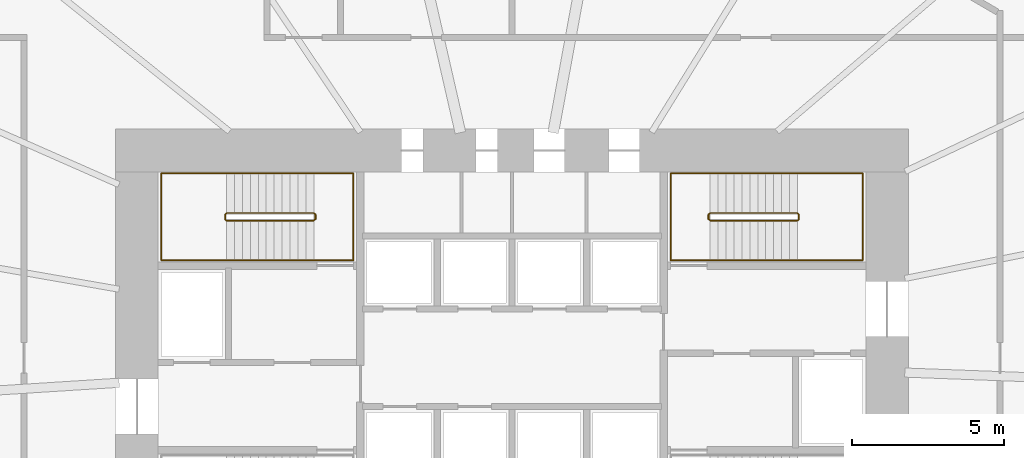
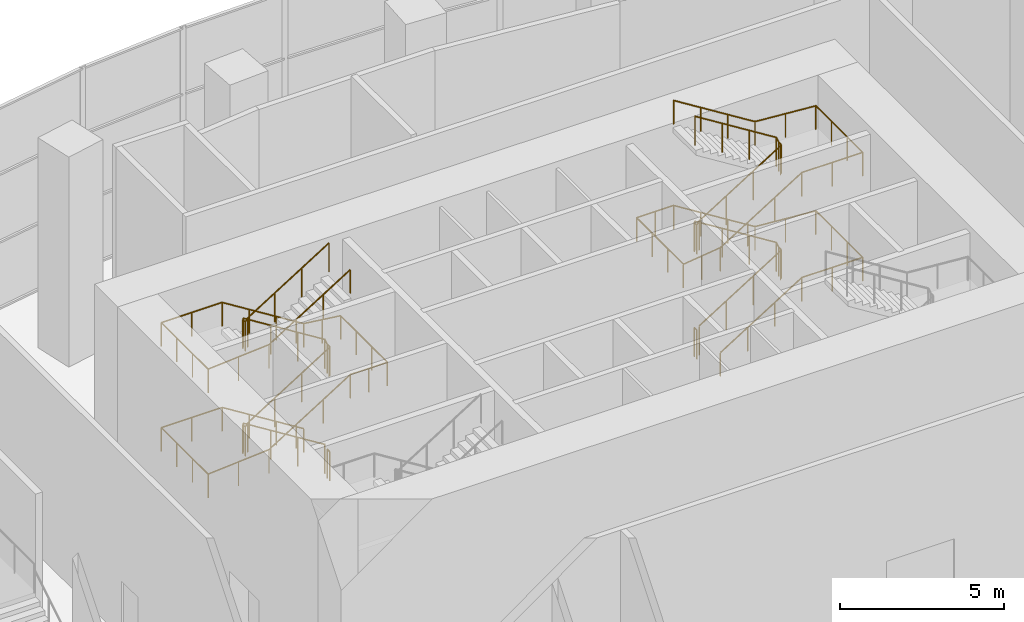
# One storey, part 22 of 22: 6 railings.
"""IFC4 building model written with IfcOpenShell, lengths in metres."""

from ifc_helpers import new_model, si_unit, direction, frame, origin, origin_2d, place, context, subcontext, project, spatial, circle, extrude, material, type_object, element, save


model = new_model("IFC4")

# Units and contexts
model_context = context("Model", 3, precision=1e-05, world=origin(), true_north=direction((0.0, 1.0)))
body_context = subcontext(model_context, "Body", "Model", "MODEL_VIEW")
ifc_project = project(units=[si_unit("LENGTHUNIT", "METRE"), si_unit("AREAUNIT", "SQUARE_METRE"), si_unit("VOLUMEUNIT", "CUBIC_METRE"), si_unit("PLANEANGLEUNIT", "RADIAN"), si_unit("MASSUNIT", "GRAM", prefix="KILO")], contexts=[model_context])

# Site, building, storey
site_placement = place(None, origin())
site = spatial("IfcSite", under=ifc_project, at=site_placement, CompositionType="ELEMENT")
building_placement = place(site_placement, origin())
building = spatial("IfcBuilding", under=site, at=building_placement, Name="Rubra Terraces Tower", CompositionType="ELEMENT")
storey_placement = place(building_placement, frame((0.0, 0.0, 7.199951171875)))
storey = spatial("IfcBuildingStorey", under=building, at=storey_placement, Name="L01", CompositionType="ELEMENT", Elevation=7.199951171875)

# Railings
ifc_material = material(Name="Stainless steel", Category="steel")
railing_type_1 = type_object("IfcRailingType", Name="Core stair guard 1100", PredefinedType="GUARDRAIL", material=ifc_material)
railing_1_placement = place(storey_placement, frame((-6.5, 9.25, 0.16259765625)))
element("IfcRailing", 1, at=railing_1_placement, inside=storey, type_object=railing_type_1, Name="L01 stair S2 guard 1", PredefinedType="GUARDRAIL", context=body_context, shape_type="SweptSolid", body=[
    extrude(circle(Radius=0.02392578125, at=origin_2d()), frame((0.0, 0.0, 1.076171875), z_axis=(-0.848026770018, 0.0, 0.529953391661), x_axis=(0.0, -1.0, 0.0)), (0.0, 0.0, 1.0), 3.37255859375),
    extrude(circle(Radius=0.02392578125, at=origin_2d()), frame((-2.860107421875, 0.0, 2.86328125), z_axis=(-0.705375805398, -0.708833529934, 0.0), x_axis=(0.708833529934, -0.705375805398, 0.0)), (0.0, 0.0, 1.0), 0.070556640625),
    extrude(circle(Radius=0.02392578125, at=origin_2d()), frame((-2.909912109375, -0.050048828125, 2.86328125), z_axis=(0.0, -1.0, 0.0), x_axis=(1.0, 0.0, 0.0)), (0.0, 0.0, 1.0), 0.14990234375),
    extrude(circle(Radius=0.02392578125, at=origin_2d()), frame((-2.909912109375, -0.199951171875, 2.86328125), z_axis=(0.280959487676, -0.282336740067, 0.917250092119), x_axis=(0.708833529934, 0.705375805398, 0.0)), (0.0, 0.0, 1.0), 0.17724609375),
    extrude(circle(Radius=0.02392578125, at=origin_2d()), frame((-2.860107421875, -0.25, 3.02587890625), z_axis=(0.847994237388, 0.0, 0.530005446535), x_axis=(0.0, 1.0, 0.0)), (0.0, 0.0, 1.0), 3.372802734375),
    extrude(circle(Radius=0.02392578125, at=origin_2d()), frame((0.0, -0.25, 4.8134765625), z_axis=(0.707106781187, 0.707106781187, 0.0), x_axis=(-0.707106781187, 0.707106781187, 0.0)), (0.0, 0.0, 1.0), 0.07080078125),
    extrude(circle(Radius=0.02392578125, at=origin_2d()), frame((0.050048828125, -0.199951171875, 4.8134765625), z_axis=(0.0, 1.0, 0.0), x_axis=(-1.0, 0.0, 0.0)), (0.0, 0.0, 1.0), 0.14990234375),
    extrude(circle(Radius=0.02392578125, at=origin_2d()), frame((0.050048828125, -0.050048828125, 4.8134765625), z_axis=(-0.282583949758, 0.282583949758, 0.916674763849), x_axis=(-0.707106781187, -0.707106781187, 0.0)), (0.0, 0.0, 1.0), 0.177001953125),
    extrude(circle(Radius=0.02392578125, at=origin_2d()), frame((0.0, 0.0, 4.97607421875), z_axis=(-0.847994237388, 0.0, 0.530005446535), x_axis=(0.0, -1.0, 0.0)), (0.0, 0.0, 1.0), 3.372802734375),
    extrude(circle(Radius=0.02392578125, at=origin_2d()), frame((-2.860107421875, 0.0, 6.763671875), z_axis=(-0.705375805398, -0.708833529934, 0.0), x_axis=(0.708833529934, -0.705375805398, 0.0)), (0.0, 0.0, 1.0), 0.070556640625),
    extrude(circle(Radius=0.02392578125, at=origin_2d()), frame((-2.909912109375, -0.050048828125, 6.763671875), z_axis=(0.0, -1.0, 0.0), x_axis=(1.0, 0.0, 0.0)), (0.0, 0.0, 1.0), 0.14990234375),
    extrude(circle(Radius=0.02392578125, at=origin_2d()), frame((-2.909912109375, -0.199951171875, 6.763671875), z_axis=(0.281314826061, -0.282693820306, 0.917031173188), x_axis=(0.708833529934, 0.705375805398, 0.0)), (0.0, 0.0, 1.0), 0.177001953125),
    extrude(circle(Radius=0.02392578125, at=origin_2d()), frame((-2.860107421875, -0.25, 6.92578125), z_axis=(0.847994237388, 0.0, 0.530005446535), x_axis=(0.0, 1.0, 0.0)), (0.0, 0.0, 1.0), 3.372802734375),
    extrude(circle(Radius=0.02099609375, at=origin_2d()), origin(), (0.0, 0.0, 1.0), 1.052001953125),
    extrude(circle(Radius=0.02099609375, at=origin_2d()), frame((-0.953369140625, 0.0, 0.595703125)), (0.0, 0.0, 1.0), 1.052001953125),
    extrude(circle(Radius=0.02099609375, at=origin_2d()), frame((-1.90673828125, 0.0, 1.191650390625)), (0.0, 0.0, 1.0), 1.052001953125),
    extrude(circle(Radius=0.02099609375, at=origin_2d()), frame((-2.860107421875, 0.0, 1.787353515625)), (0.0, 0.0, 1.0), 1.052001953125),
    extrude(circle(Radius=0.02099609375, at=origin_2d()), frame((-2.909912109375, -0.050048828125, 1.787353515625)), (0.0, 0.0, 1.0), 1.052001953125),
    extrude(circle(Radius=0.02099609375, at=origin_2d()), frame((-2.909912109375, -0.199951171875, 1.787353515625)), (0.0, 0.0, 1.0), 1.052001953125),
    extrude(circle(Radius=0.02099609375, at=origin_2d()), frame((-2.860107421875, -0.25, 1.949951171875)), (0.0, 0.0, 1.0), 1.052001953125),
    extrude(circle(Radius=0.02099609375, at=origin_2d()), frame((-1.90673828125, -0.25, 2.5458984375)), (0.0, 0.0, 1.0), 1.052001953125),
    extrude(circle(Radius=0.02099609375, at=origin_2d()), frame((-0.953369140625, -0.25, 3.1416015625)), (0.0, 0.0, 1.0), 1.052001953125),
    extrude(circle(Radius=0.02099609375, at=origin_2d()), frame((0.0, -0.25, 3.737548828125)), (0.0, 0.0, 1.0), 1.052001953125),
    extrude(circle(Radius=0.02099609375, at=origin_2d()), frame((0.050048828125, -0.199951171875, 3.737548828125)), (0.0, 0.0, 1.0), 1.052001953125),
    extrude(circle(Radius=0.02099609375, at=origin_2d()), frame((0.050048828125, -0.050048828125, 3.737548828125)), (0.0, 0.0, 1.0), 1.052001953125),
    extrude(circle(Radius=0.02099609375, at=origin_2d()), frame((0.0, 0.0, 3.89990234375)), (0.0, 0.0, 1.0), 1.052001953125),
    extrude(circle(Radius=0.02099609375, at=origin_2d()), frame((-0.953369140625, 0.0, 4.495849609375)), (0.0, 0.0, 1.0), 1.052001953125),
    extrude(circle(Radius=0.02099609375, at=origin_2d()), frame((-1.90673828125, 0.0, 5.091552734375)), (0.0, 0.0, 1.0), 1.052001953125),
    extrude(circle(Radius=0.02099609375, at=origin_2d()), frame((-2.860107421875, 0.0, 5.6875)), (0.0, 0.0, 1.0), 1.052001953125),
    extrude(circle(Radius=0.02099609375, at=origin_2d()), frame((-2.909912109375, -0.050048828125, 5.6875)), (0.0, 0.0, 1.0), 1.052001953125),
    extrude(circle(Radius=0.02099609375, at=origin_2d()), frame((-2.909912109375, -0.199951171875, 5.6875)), (0.0, 0.0, 1.0), 1.052001953125),
    extrude(circle(Radius=0.02099609375, at=origin_2d()), frame((-2.860107421875, -0.25, 5.849853515625)), (0.0, 0.0, 1.0), 1.052001953125),
    extrude(circle(Radius=0.02099609375, at=origin_2d()), frame((-1.90673828125, -0.25, 6.44580078125)), (0.0, 0.0, 1.0), 1.052001953125),
    extrude(circle(Radius=0.02099609375, at=origin_2d()), frame((-0.953369140625, -0.25, 7.04150390625)), (0.0, 0.0, 1.0), 1.052001953125),
    extrude(circle(Radius=0.02099609375, at=origin_2d()), frame((0.0, -0.25, 7.637451171875)), (0.0, 0.0, 1.0), 1.052001953125),
])
railing_2_placement = place(storey_placement, frame((-6.449951171875, 9.199951171875, 0.0)))
element("IfcRailing", 2, at=railing_2_placement, inside=storey, type_object=railing_type_1, Name="L01 stair S2 guard 2", PredefinedType="GUARDRAIL", context=body_context, shape_type="SweptSolid", body=[
    extrude(circle(Radius=0.02392578125, at=origin_2d()), frame((0.0, 0.0, 1.076171875), z_axis=(0.0, -1.0, 0.0), x_axis=(1.0, 0.0, 0.0)), (0.0, 0.0, 1.0), 0.14990234375),
    extrude(circle(Radius=0.02099609375, at=origin_2d()), origin(), (0.0, 0.0, 1.0), 1.052001953125),
    extrude(circle(Radius=0.02099609375, at=origin_2d()), frame((0.0, -0.14990234375, 0.0)), (0.0, 0.0, 1.0), 1.052001953125),
])
railing_3_placement = place(storey_placement, frame((6.5, 9.0, 0.16259765625)))
element("IfcRailing", 3, at=railing_3_placement, inside=storey, type_object=railing_type_1, Name="L01 stair S3 guard 1", PredefinedType="GUARDRAIL", context=body_context, shape_type="SweptSolid", body=[
    extrude(circle(Radius=0.02392578125, at=origin_2d()), frame((0.0, 0.0, 1.076171875), z_axis=(0.848026770018, 0.0, 0.529953391661), x_axis=(0.0, 1.0, 0.0)), (0.0, 0.0, 1.0), 3.37255859375),
    extrude(circle(Radius=0.02392578125, at=origin_2d()), frame((2.860107421875, 0.0, 2.86328125), z_axis=(0.705375805398, 0.708833529934, 0.0), x_axis=(-0.708833529934, 0.705375805398, 0.0)), (0.0, 0.0, 1.0), 0.070556640625),
    extrude(circle(Radius=0.02392578125, at=origin_2d()), frame((2.909912109375, 0.050048828125, 2.86328125), z_axis=(0.0, 1.0, 0.0), x_axis=(-1.0, 0.0, 0.0)), (0.0, 0.0, 1.0), 0.14990234375),
    extrude(circle(Radius=0.02392578125, at=origin_2d()), frame((2.909912109375, 0.199951171875, 2.86328125), z_axis=(-0.280959487676, 0.282336740067, 0.917250092119), x_axis=(-0.708833529934, -0.705375805398, 0.0)), (0.0, 0.0, 1.0), 0.17724609375),
    extrude(circle(Radius=0.02392578125, at=origin_2d()), frame((2.860107421875, 0.25, 3.02587890625), z_axis=(-0.847994237388, 0.0, 0.530005446535), x_axis=(0.0, -1.0, 0.0)), (0.0, 0.0, 1.0), 3.372802734375),
    extrude(circle(Radius=0.02392578125, at=origin_2d()), frame((0.0, 0.25, 4.8134765625), z_axis=(-0.707106781187, -0.707106781187, 0.0), x_axis=(0.707106781187, -0.707106781187, 0.0)), (0.0, 0.0, 1.0), 0.07080078125),
    extrude(circle(Radius=0.02392578125, at=origin_2d()), frame((-0.050048828125, 0.199951171875, 4.8134765625), z_axis=(0.0, -1.0, 0.0), x_axis=(1.0, 0.0, 0.0)), (0.0, 0.0, 1.0), 0.14990234375),
    extrude(circle(Radius=0.02392578125, at=origin_2d()), frame((-0.050048828125, 0.050048828125, 4.8134765625), z_axis=(0.282583949758, -0.282583949758, 0.916674763849), x_axis=(0.707106781187, 0.707106781187, 0.0)), (0.0, 0.0, 1.0), 0.177001953125),
    extrude(circle(Radius=0.02392578125, at=origin_2d()), frame((0.0, 0.0, 4.97607421875), z_axis=(0.847994237388, 0.0, 0.530005446535), x_axis=(0.0, 1.0, 0.0)), (0.0, 0.0, 1.0), 3.372802734375),
    extrude(circle(Radius=0.02392578125, at=origin_2d()), frame((2.860107421875, 0.0, 6.763671875), z_axis=(0.705375805398, 0.708833529934, 0.0), x_axis=(-0.708833529934, 0.705375805398, 0.0)), (0.0, 0.0, 1.0), 0.070556640625),
    extrude(circle(Radius=0.02392578125, at=origin_2d()), frame((2.909912109375, 0.050048828125, 6.763671875), z_axis=(0.0, 1.0, 0.0), x_axis=(-1.0, 0.0, 0.0)), (0.0, 0.0, 1.0), 0.14990234375),
    extrude(circle(Radius=0.02392578125, at=origin_2d()), frame((2.909912109375, 0.199951171875, 6.763671875), z_axis=(-0.281314826061, 0.282693820306, 0.917031173188), x_axis=(-0.708833529934, -0.705375805398, 0.0)), (0.0, 0.0, 1.0), 0.177001953125),
    extrude(circle(Radius=0.02392578125, at=origin_2d()), frame((2.860107421875, 0.25, 6.92578125), z_axis=(-0.847994237388, 0.0, 0.530005446535), x_axis=(0.0, -1.0, 0.0)), (0.0, 0.0, 1.0), 3.372802734375),
    extrude(circle(Radius=0.02099609375, at=origin_2d()), origin(), (0.0, 0.0, 1.0), 1.052001953125),
    extrude(circle(Radius=0.02099609375, at=origin_2d()), frame((0.953369140625, 0.0, 0.595703125)), (0.0, 0.0, 1.0), 1.052001953125),
    extrude(circle(Radius=0.02099609375, at=origin_2d()), frame((1.90673828125, 0.0, 1.191650390625)), (0.0, 0.0, 1.0), 1.052001953125),
    extrude(circle(Radius=0.02099609375, at=origin_2d()), frame((2.860107421875, 0.0, 1.787353515625)), (0.0, 0.0, 1.0), 1.052001953125),
    extrude(circle(Radius=0.02099609375, at=origin_2d()), frame((2.909912109375, 0.050048828125, 1.787353515625)), (0.0, 0.0, 1.0), 1.052001953125),
    extrude(circle(Radius=0.02099609375, at=origin_2d()), frame((2.909912109375, 0.199951171875, 1.787353515625)), (0.0, 0.0, 1.0), 1.052001953125),
    extrude(circle(Radius=0.02099609375, at=origin_2d()), frame((2.860107421875, 0.25, 1.949951171875)), (0.0, 0.0, 1.0), 1.052001953125),
    extrude(circle(Radius=0.02099609375, at=origin_2d()), frame((1.90673828125, 0.25, 2.5458984375)), (0.0, 0.0, 1.0), 1.052001953125),
    extrude(circle(Radius=0.02099609375, at=origin_2d()), frame((0.953369140625, 0.25, 3.1416015625)), (0.0, 0.0, 1.0), 1.052001953125),
    extrude(circle(Radius=0.02099609375, at=origin_2d()), frame((0.0, 0.25, 3.737548828125)), (0.0, 0.0, 1.0), 1.052001953125),
    extrude(circle(Radius=0.02099609375, at=origin_2d()), frame((-0.050048828125, 0.199951171875, 3.737548828125)), (0.0, 0.0, 1.0), 1.052001953125),
    extrude(circle(Radius=0.02099609375, at=origin_2d()), frame((-0.050048828125, 0.050048828125, 3.737548828125)), (0.0, 0.0, 1.0), 1.052001953125),
    extrude(circle(Radius=0.02099609375, at=origin_2d()), frame((0.0, 0.0, 3.89990234375)), (0.0, 0.0, 1.0), 1.052001953125),
    extrude(circle(Radius=0.02099609375, at=origin_2d()), frame((0.953369140625, 0.0, 4.495849609375)), (0.0, 0.0, 1.0), 1.052001953125),
    extrude(circle(Radius=0.02099609375, at=origin_2d()), frame((1.90673828125, 0.0, 5.091552734375)), (0.0, 0.0, 1.0), 1.052001953125),
    extrude(circle(Radius=0.02099609375, at=origin_2d()), frame((2.860107421875, 0.0, 5.6875)), (0.0, 0.0, 1.0), 1.052001953125),
    extrude(circle(Radius=0.02099609375, at=origin_2d()), frame((2.909912109375, 0.050048828125, 5.6875)), (0.0, 0.0, 1.0), 1.052001953125),
    extrude(circle(Radius=0.02099609375, at=origin_2d()), frame((2.909912109375, 0.199951171875, 5.6875)), (0.0, 0.0, 1.0), 1.052001953125),
    extrude(circle(Radius=0.02099609375, at=origin_2d()), frame((2.860107421875, 0.25, 5.849853515625)), (0.0, 0.0, 1.0), 1.052001953125),
    extrude(circle(Radius=0.02099609375, at=origin_2d()), frame((1.90673828125, 0.25, 6.44580078125)), (0.0, 0.0, 1.0), 1.052001953125),
    extrude(circle(Radius=0.02099609375, at=origin_2d()), frame((0.953369140625, 0.25, 7.04150390625)), (0.0, 0.0, 1.0), 1.052001953125),
    extrude(circle(Radius=0.02099609375, at=origin_2d()), frame((0.0, 0.25, 7.637451171875)), (0.0, 0.0, 1.0), 1.052001953125),
])
railing_4_placement = place(storey_placement, frame((6.449951171875, 9.050048828125, 0.0)))
element("IfcRailing", 4, at=railing_4_placement, inside=storey, type_object=railing_type_1, Name="L01 stair S3 guard 2", PredefinedType="GUARDRAIL", context=body_context, shape_type="SweptSolid", body=[
    extrude(circle(Radius=0.02392578125, at=origin_2d()), frame((0.0, 0.0, 1.076171875), z_axis=(0.0, 1.0, 0.0), x_axis=(-1.0, 0.0, 0.0)), (0.0, 0.0, 1.0), 0.14990234375),
    extrude(circle(Radius=0.02099609375, at=origin_2d()), origin(), (0.0, 0.0, 1.0), 1.052001953125),
    extrude(circle(Radius=0.02099609375, at=origin_2d()), frame((0.0, 0.14990234375, 0.0)), (0.0, 0.0, 1.0), 1.052001953125),
])
railing_type_2 = type_object("IfcRailingType", Name="Core stair handrail 900", PredefinedType="HANDRAIL", material=ifc_material)
railing_5_placement = place(storey_placement, frame((-6.5, 10.550048828125, 0.16259765625)))
element("IfcRailing", 5, at=railing_5_placement, inside=storey, type_object=railing_type_2, Name="L01 stair S2 handrail 1", PredefinedType="HANDRAIL", context=body_context, shape_type="SweptSolid", body=[
    extrude(circle(Radius=0.02392578125, at=origin_2d()), frame((0.0, 0.0, 0.8759765625), z_axis=(-0.848026770018, 0.0, 0.529953391661), x_axis=(0.0, -1.0, 0.0)), (0.0, 0.0, 1.0), 3.37255859375),
    extrude(circle(Radius=0.02392578125, at=origin_2d()), frame((-2.860107421875, 0.0, 2.6630859375), z_axis=(-1.0, 0.0, 0.0), x_axis=(0.0, -1.0, 0.0)), (0.0, 0.0, 1.0), 2.139892578125),
    extrude(circle(Radius=0.02392578125, at=origin_2d()), frame((-5.0, 0.0, 2.6630859375), z_axis=(0.0, -1.0, 0.0), x_axis=(1.0, 0.0, 0.0)), (0.0, 0.0, 1.0), 2.85009765625),
    extrude(circle(Radius=0.02392578125, at=origin_2d()), frame((-5.0, -2.85009765625, 2.6630859375), z_axis=(0.997125654253, 0.0, 0.075765623016), x_axis=(0.0, 1.0, 0.0)), (0.0, 0.0, 1.0), 2.14599609375),
    extrude(circle(Radius=0.02392578125, at=origin_2d()), frame((-2.860107421875, -2.85009765625, 2.82568359375), z_axis=(0.847994237388, 0.0, 0.530005446535), x_axis=(0.0, 1.0, 0.0)), (0.0, 0.0, 1.0), 3.372802734375),
    extrude(circle(Radius=0.02392578125, at=origin_2d()), frame((0.0, -2.85009765625, 4.61328125), z_axis=(1.0, 0.0, 0.0), x_axis=(0.0, 1.0, 0.0)), (0.0, 0.0, 1.0), 1.300048828125),
    extrude(circle(Radius=0.02392578125, at=origin_2d()), frame((1.300048828125, -2.85009765625, 4.61328125), z_axis=(0.0, 1.0, 0.0), x_axis=(-1.0, 0.0, 0.0)), (0.0, 0.0, 1.0), 2.85009765625),
    extrude(circle(Radius=0.02392578125, at=origin_2d()), frame((1.300048828125, 0.0, 4.61328125), z_axis=(-0.992292204392, 0.0, 0.123920059328), x_axis=(0.0, -1.0, 0.0)), (0.0, 0.0, 1.0), 1.31005859375),
    extrude(circle(Radius=0.02392578125, at=origin_2d()), frame((0.0, 0.0, 4.77587890625), z_axis=(-0.847994237388, 0.0, 0.530005446535), x_axis=(0.0, -1.0, 0.0)), (0.0, 0.0, 1.0), 3.372802734375),
    extrude(circle(Radius=0.02392578125, at=origin_2d()), frame((-2.860107421875, 0.0, 6.5634765625), z_axis=(-1.0, 0.0, 0.0), x_axis=(0.0, -1.0, 0.0)), (0.0, 0.0, 1.0), 2.139892578125),
    extrude(circle(Radius=0.02392578125, at=origin_2d()), frame((-5.0, 0.0, 6.5634765625), z_axis=(0.0, -1.0, 0.0), x_axis=(1.0, 0.0, 0.0)), (0.0, 0.0, 1.0), 2.85009765625),
    extrude(circle(Radius=0.02392578125, at=origin_2d()), frame((-5.0, -2.85009765625, 6.5634765625), z_axis=(0.9971342424, 0.0, 0.075652512401), x_axis=(0.0, 1.0, 0.0)), (0.0, 0.0, 1.0), 2.14599609375),
    extrude(circle(Radius=0.02392578125, at=origin_2d()), frame((-2.860107421875, -2.85009765625, 6.7255859375), z_axis=(0.847994237388, 0.0, 0.530005446535), x_axis=(0.0, 1.0, 0.0)), (0.0, 0.0, 1.0), 3.372802734375),
    extrude(circle(Radius=0.02099609375, at=origin_2d()), origin(), (0.0, 0.0, 1.0), 0.851806640625),
    extrude(circle(Radius=0.02099609375, at=origin_2d()), frame((-0.953369140625, 0.0, 0.595703125)), (0.0, 0.0, 1.0), 0.851806640625),
    extrude(circle(Radius=0.02099609375, at=origin_2d()), frame((-1.90673828125, 0.0, 1.191650390625)), (0.0, 0.0, 1.0), 0.851806640625),
    extrude(circle(Radius=0.02099609375, at=origin_2d()), frame((-2.860107421875, 0.0, 1.787353515625)), (0.0, 0.0, 1.0), 0.851806640625),
    extrude(circle(Radius=0.02099609375, at=origin_2d()), frame((-3.93017578125, 0.0, 1.787353515625)), (0.0, 0.0, 1.0), 0.851806640625),
    extrude(circle(Radius=0.02099609375, at=origin_2d()), frame((-5.0, 0.0, 1.787353515625)), (0.0, 0.0, 1.0), 0.851806640625),
    extrude(circle(Radius=0.02099609375, at=origin_2d()), frame((-5.0, -0.949951171875, 1.787353515625)), (0.0, 0.0, 1.0), 0.851806640625),
    extrude(circle(Radius=0.02099609375, at=origin_2d()), frame((-5.0, -1.900146484375, 1.787353515625)), (0.0, 0.0, 1.0), 0.851806640625),
    extrude(circle(Radius=0.02099609375, at=origin_2d()), frame((-5.0, -2.85009765625, 1.787353515625)), (0.0, 0.0, 1.0), 0.851806640625),
    extrude(circle(Radius=0.02099609375, at=origin_2d()), frame((-3.93017578125, -2.85009765625, 1.86865234375)), (0.0, 0.0, 1.0), 0.851806640625),
    extrude(circle(Radius=0.02099609375, at=origin_2d()), frame((-2.860107421875, -2.85009765625, 1.949951171875)), (0.0, 0.0, 1.0), 0.851806640625),
    extrude(circle(Radius=0.02099609375, at=origin_2d()), frame((-1.90673828125, -2.85009765625, 2.5458984375)), (0.0, 0.0, 1.0), 0.851806640625),
    extrude(circle(Radius=0.02099609375, at=origin_2d()), frame((-0.953369140625, -2.85009765625, 3.1416015625)), (0.0, 0.0, 1.0), 0.851806640625),
    extrude(circle(Radius=0.02099609375, at=origin_2d()), frame((0.0, -2.85009765625, 3.737548828125)), (0.0, 0.0, 1.0), 0.851806640625),
    extrude(circle(Radius=0.02099609375, at=origin_2d()), frame((0.64990234375, -2.85009765625, 3.737548828125)), (0.0, 0.0, 1.0), 0.851806640625),
    extrude(circle(Radius=0.02099609375, at=origin_2d()), frame((1.300048828125, -2.85009765625, 3.737548828125)), (0.0, 0.0, 1.0), 0.851806640625),
    extrude(circle(Radius=0.02099609375, at=origin_2d()), frame((1.300048828125, -1.900146484375, 3.737548828125)), (0.0, 0.0, 1.0), 0.851806640625),
    extrude(circle(Radius=0.02099609375, at=origin_2d()), frame((1.300048828125, -0.949951171875, 3.737548828125)), (0.0, 0.0, 1.0), 0.851806640625),
    extrude(circle(Radius=0.02099609375, at=origin_2d()), frame((1.300048828125, 0.0, 3.737548828125)), (0.0, 0.0, 1.0), 0.851806640625),
    extrude(circle(Radius=0.02099609375, at=origin_2d()), frame((0.64990234375, 0.0, 3.81884765625)), (0.0, 0.0, 1.0), 0.851806640625),
    extrude(circle(Radius=0.02099609375, at=origin_2d()), frame((0.0, 0.0, 3.89990234375)), (0.0, 0.0, 1.0), 0.851806640625),
    extrude(circle(Radius=0.02099609375, at=origin_2d()), frame((-0.953369140625, 0.0, 4.495849609375)), (0.0, 0.0, 1.0), 0.851806640625),
    extrude(circle(Radius=0.02099609375, at=origin_2d()), frame((-1.90673828125, 0.0, 5.091552734375)), (0.0, 0.0, 1.0), 0.851806640625),
    extrude(circle(Radius=0.02099609375, at=origin_2d()), frame((-2.860107421875, 0.0, 5.6875)), (0.0, 0.0, 1.0), 0.851806640625),
    extrude(circle(Radius=0.02099609375, at=origin_2d()), frame((-3.93017578125, 0.0, 5.6875)), (0.0, 0.0, 1.0), 0.851806640625),
    extrude(circle(Radius=0.02099609375, at=origin_2d()), frame((-5.0, 0.0, 5.6875)), (0.0, 0.0, 1.0), 0.851806640625),
    extrude(circle(Radius=0.02099609375, at=origin_2d()), frame((-5.0, -0.949951171875, 5.6875)), (0.0, 0.0, 1.0), 0.851806640625),
    extrude(circle(Radius=0.02099609375, at=origin_2d()), frame((-5.0, -1.900146484375, 5.6875)), (0.0, 0.0, 1.0), 0.851806640625),
    extrude(circle(Radius=0.02099609375, at=origin_2d()), frame((-5.0, -2.85009765625, 5.6875)), (0.0, 0.0, 1.0), 0.851806640625),
    extrude(circle(Radius=0.02099609375, at=origin_2d()), frame((-3.93017578125, -2.85009765625, 5.7685546875)), (0.0, 0.0, 1.0), 0.851806640625),
    extrude(circle(Radius=0.02099609375, at=origin_2d()), frame((-2.860107421875, -2.85009765625, 5.849853515625)), (0.0, 0.0, 1.0), 0.851806640625),
    extrude(circle(Radius=0.02099609375, at=origin_2d()), frame((-1.90673828125, -2.85009765625, 6.44580078125)), (0.0, 0.0, 1.0), 0.851806640625),
    extrude(circle(Radius=0.02099609375, at=origin_2d()), frame((-0.953369140625, -2.85009765625, 7.04150390625)), (0.0, 0.0, 1.0), 0.851806640625),
    extrude(circle(Radius=0.02099609375, at=origin_2d()), frame((0.0, -2.85009765625, 7.637451171875)), (0.0, 0.0, 1.0), 0.851806640625),
])
railing_6_placement = place(storey_placement, frame((6.5, 7.699951171875, 0.16259765625)))
element("IfcRailing", 6, at=railing_6_placement, inside=storey, type_object=railing_type_2, Name="L01 stair S3 handrail 1", PredefinedType="HANDRAIL", context=body_context, shape_type="SweptSolid", body=[
    extrude(circle(Radius=0.02392578125, at=origin_2d()), frame((0.0, 0.0, 0.8759765625), z_axis=(0.848026770018, 0.0, 0.529953391661), x_axis=(0.0, 1.0, 0.0)), (0.0, 0.0, 1.0), 3.37255859375),
    extrude(circle(Radius=0.02392578125, at=origin_2d()), frame((2.860107421875, 0.0, 2.6630859375), z_axis=(1.0, 0.0, 0.0), x_axis=(0.0, 1.0, 0.0)), (0.0, 0.0, 1.0), 2.139892578125),
    extrude(circle(Radius=0.02392578125, at=origin_2d()), frame((5.0, 0.0, 2.6630859375), z_axis=(0.0, 1.0, 0.0), x_axis=(-1.0, 0.0, 0.0)), (0.0, 0.0, 1.0), 2.85009765625),
    extrude(circle(Radius=0.02392578125, at=origin_2d()), frame((5.0, 2.85009765625, 2.6630859375), z_axis=(-0.997125654253, 0.0, 0.075765623016), x_axis=(0.0, -1.0, 0.0)), (0.0, 0.0, 1.0), 2.14599609375),
    extrude(circle(Radius=0.02392578125, at=origin_2d()), frame((2.860107421875, 2.85009765625, 2.82568359375), z_axis=(-0.847994237388, 0.0, 0.530005446535), x_axis=(0.0, -1.0, 0.0)), (0.0, 0.0, 1.0), 3.372802734375),
    extrude(circle(Radius=0.02392578125, at=origin_2d()), frame((0.0, 2.85009765625, 4.61328125), z_axis=(-1.0, 0.0, 0.0), x_axis=(0.0, -1.0, 0.0)), (0.0, 0.0, 1.0), 1.300048828125),
    extrude(circle(Radius=0.02392578125, at=origin_2d()), frame((-1.300048828125, 2.85009765625, 4.61328125), z_axis=(0.0, -1.0, 0.0), x_axis=(1.0, 0.0, 0.0)), (0.0, 0.0, 1.0), 2.85009765625),
    extrude(circle(Radius=0.02392578125, at=origin_2d()), frame((-1.300048828125, 0.0, 4.61328125), z_axis=(0.992292204392, 0.0, 0.123920059328), x_axis=(0.0, 1.0, 0.0)), (0.0, 0.0, 1.0), 1.31005859375),
    extrude(circle(Radius=0.02392578125, at=origin_2d()), frame((0.0, 0.0, 4.77587890625), z_axis=(0.847994237388, 0.0, 0.530005446535), x_axis=(0.0, 1.0, 0.0)), (0.0, 0.0, 1.0), 3.372802734375),
    extrude(circle(Radius=0.02392578125, at=origin_2d()), frame((2.860107421875, 0.0, 6.5634765625), z_axis=(1.0, 0.0, 0.0), x_axis=(0.0, 1.0, 0.0)), (0.0, 0.0, 1.0), 2.139892578125),
    extrude(circle(Radius=0.02392578125, at=origin_2d()), frame((5.0, 0.0, 6.5634765625), z_axis=(0.0, 1.0, 0.0), x_axis=(-1.0, 0.0, 0.0)), (0.0, 0.0, 1.0), 2.85009765625),
    extrude(circle(Radius=0.02392578125, at=origin_2d()), frame((5.0, 2.85009765625, 6.5634765625), z_axis=(-0.9971342424, 0.0, 0.075652512401), x_axis=(0.0, -1.0, 0.0)), (0.0, 0.0, 1.0), 2.14599609375),
    extrude(circle(Radius=0.02392578125, at=origin_2d()), frame((2.860107421875, 2.85009765625, 6.7255859375), z_axis=(-0.847994237388, 0.0, 0.530005446535), x_axis=(0.0, -1.0, 0.0)), (0.0, 0.0, 1.0), 3.372802734375),
    extrude(circle(Radius=0.02099609375, at=origin_2d()), origin(), (0.0, 0.0, 1.0), 0.851806640625),
    extrude(circle(Radius=0.02099609375, at=origin_2d()), frame((0.953369140625, 0.0, 0.595703125)), (0.0, 0.0, 1.0), 0.851806640625),
    extrude(circle(Radius=0.02099609375, at=origin_2d()), frame((1.90673828125, 0.0, 1.191650390625)), (0.0, 0.0, 1.0), 0.851806640625),
    extrude(circle(Radius=0.02099609375, at=origin_2d()), frame((2.860107421875, 0.0, 1.787353515625)), (0.0, 0.0, 1.0), 0.851806640625),
    extrude(circle(Radius=0.02099609375, at=origin_2d()), frame((3.93017578125, 0.0, 1.787353515625)), (0.0, 0.0, 1.0), 0.851806640625),
    extrude(circle(Radius=0.02099609375, at=origin_2d()), frame((5.0, 0.0, 1.787353515625)), (0.0, 0.0, 1.0), 0.851806640625),
    extrude(circle(Radius=0.02099609375, at=origin_2d()), frame((5.0, 0.949951171875, 1.787353515625)), (0.0, 0.0, 1.0), 0.851806640625),
    extrude(circle(Radius=0.02099609375, at=origin_2d()), frame((5.0, 1.900146484375, 1.787353515625)), (0.0, 0.0, 1.0), 0.851806640625),
    extrude(circle(Radius=0.02099609375, at=origin_2d()), frame((5.0, 2.85009765625, 1.787353515625)), (0.0, 0.0, 1.0), 0.851806640625),
    extrude(circle(Radius=0.02099609375, at=origin_2d()), frame((3.93017578125, 2.85009765625, 1.86865234375)), (0.0, 0.0, 1.0), 0.851806640625),
    extrude(circle(Radius=0.02099609375, at=origin_2d()), frame((2.860107421875, 2.85009765625, 1.949951171875)), (0.0, 0.0, 1.0), 0.851806640625),
    extrude(circle(Radius=0.02099609375, at=origin_2d()), frame((1.90673828125, 2.85009765625, 2.5458984375)), (0.0, 0.0, 1.0), 0.851806640625),
    extrude(circle(Radius=0.02099609375, at=origin_2d()), frame((0.953369140625, 2.85009765625, 3.1416015625)), (0.0, 0.0, 1.0), 0.851806640625),
    extrude(circle(Radius=0.02099609375, at=origin_2d()), frame((0.0, 2.85009765625, 3.737548828125)), (0.0, 0.0, 1.0), 0.851806640625),
    extrude(circle(Radius=0.02099609375, at=origin_2d()), frame((-0.64990234375, 2.85009765625, 3.737548828125)), (0.0, 0.0, 1.0), 0.851806640625),
    extrude(circle(Radius=0.02099609375, at=origin_2d()), frame((-1.300048828125, 2.85009765625, 3.737548828125)), (0.0, 0.0, 1.0), 0.851806640625),
    extrude(circle(Radius=0.02099609375, at=origin_2d()), frame((-1.300048828125, 1.900146484375, 3.737548828125)), (0.0, 0.0, 1.0), 0.851806640625),
    extrude(circle(Radius=0.02099609375, at=origin_2d()), frame((-1.300048828125, 0.949951171875, 3.737548828125)), (0.0, 0.0, 1.0), 0.851806640625),
    extrude(circle(Radius=0.02099609375, at=origin_2d()), frame((-1.300048828125, 0.0, 3.737548828125)), (0.0, 0.0, 1.0), 0.851806640625),
    extrude(circle(Radius=0.02099609375, at=origin_2d()), frame((-0.64990234375, 0.0, 3.81884765625)), (0.0, 0.0, 1.0), 0.851806640625),
    extrude(circle(Radius=0.02099609375, at=origin_2d()), frame((0.0, 0.0, 3.89990234375)), (0.0, 0.0, 1.0), 0.851806640625),
    extrude(circle(Radius=0.02099609375, at=origin_2d()), frame((0.953369140625, 0.0, 4.495849609375)), (0.0, 0.0, 1.0), 0.851806640625),
    extrude(circle(Radius=0.02099609375, at=origin_2d()), frame((1.90673828125, 0.0, 5.091552734375)), (0.0, 0.0, 1.0), 0.851806640625),
    extrude(circle(Radius=0.02099609375, at=origin_2d()), frame((2.860107421875, 0.0, 5.6875)), (0.0, 0.0, 1.0), 0.851806640625),
    extrude(circle(Radius=0.02099609375, at=origin_2d()), frame((3.93017578125, 0.0, 5.6875)), (0.0, 0.0, 1.0), 0.851806640625),
    extrude(circle(Radius=0.02099609375, at=origin_2d()), frame((5.0, 0.0, 5.6875)), (0.0, 0.0, 1.0), 0.851806640625),
    extrude(circle(Radius=0.02099609375, at=origin_2d()), frame((5.0, 0.949951171875, 5.6875)), (0.0, 0.0, 1.0), 0.851806640625),
    extrude(circle(Radius=0.02099609375, at=origin_2d()), frame((5.0, 1.900146484375, 5.6875)), (0.0, 0.0, 1.0), 0.851806640625),
    extrude(circle(Radius=0.02099609375, at=origin_2d()), frame((5.0, 2.85009765625, 5.6875)), (0.0, 0.0, 1.0), 0.851806640625),
    extrude(circle(Radius=0.02099609375, at=origin_2d()), frame((3.93017578125, 2.85009765625, 5.7685546875)), (0.0, 0.0, 1.0), 0.851806640625),
    extrude(circle(Radius=0.02099609375, at=origin_2d()), frame((2.860107421875, 2.85009765625, 5.849853515625)), (0.0, 0.0, 1.0), 0.851806640625),
    extrude(circle(Radius=0.02099609375, at=origin_2d()), frame((1.90673828125, 2.85009765625, 6.44580078125)), (0.0, 0.0, 1.0), 0.851806640625),
    extrude(circle(Radius=0.02099609375, at=origin_2d()), frame((0.953369140625, 2.85009765625, 7.04150390625)), (0.0, 0.0, 1.0), 0.851806640625),
    extrude(circle(Radius=0.02099609375, at=origin_2d()), frame((0.0, 2.85009765625, 7.637451171875)), (0.0, 0.0, 1.0), 0.851806640625),
])

save(model, "model.ifc")
